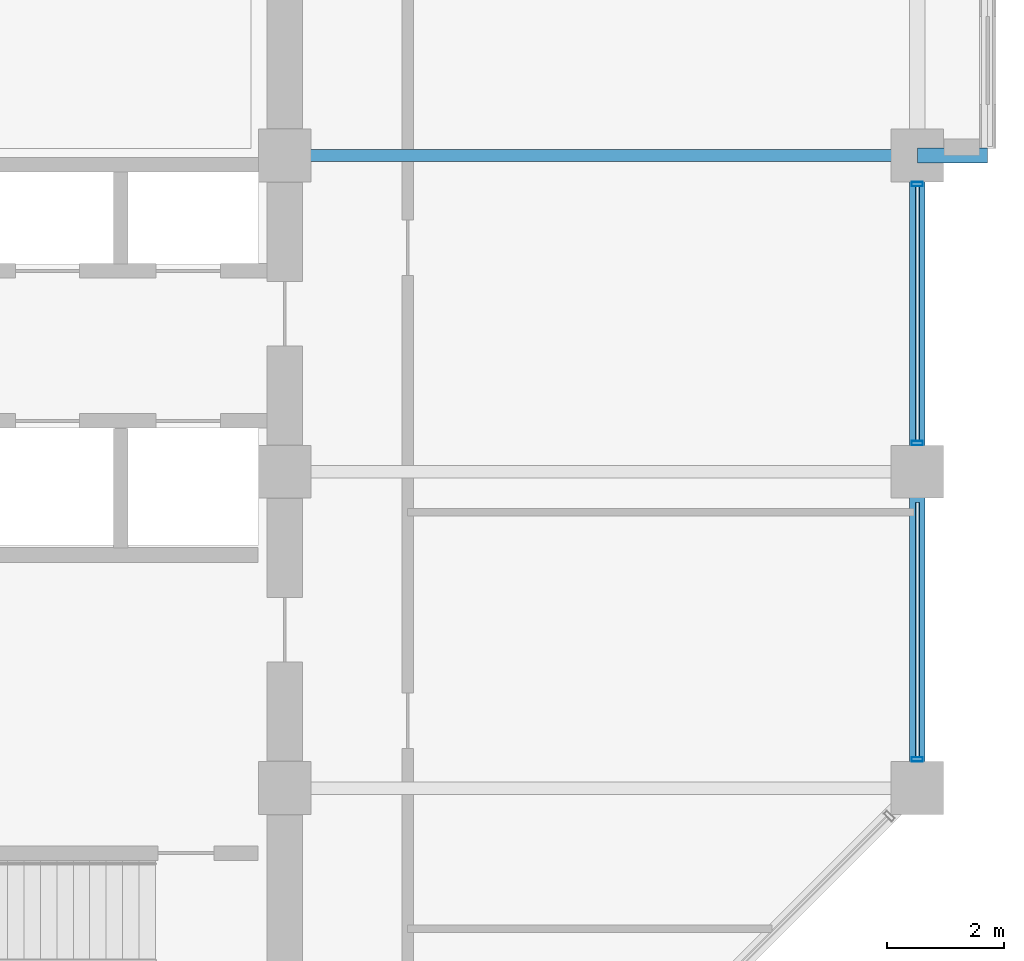
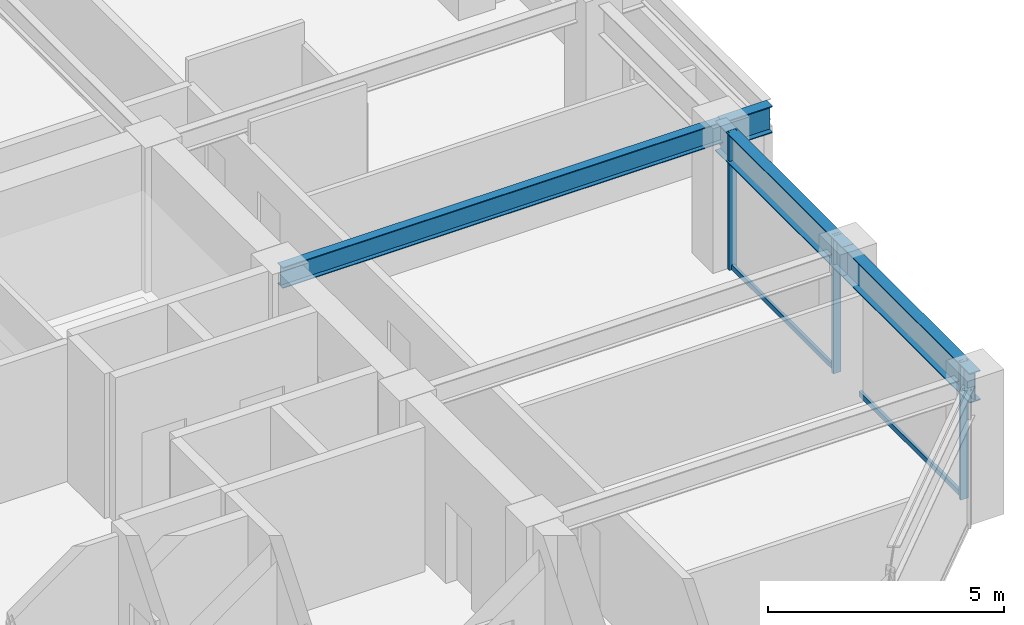
# One storey, part 14 of 32: 5 members, 4 beams, 1 element without a shape of its own.
"""IFC4 building model written with IfcOpenShell, lengths in metres."""

from ifc_helpers import new_model, si_unit, direction, frame, origin, origin_2d, place, context, subcontext, project, spatial, hollow_rectangle, i_section, extrude, material, layer, layer_set, material_profile, profile_set, type_object, element, aggregate, save


model = new_model("IFC4")

# Units and contexts
model_context = context("Model", 3, precision=1e-05, world=origin(), true_north=direction((0.0, 1.0)))
body_context = subcontext(model_context, "Body", "Model", "MODEL_VIEW")
ifc_project = project(units=[si_unit("LENGTHUNIT", "METRE"), si_unit("AREAUNIT", "SQUARE_METRE"), si_unit("VOLUMEUNIT", "CUBIC_METRE"), si_unit("PLANEANGLEUNIT", "RADIAN"), si_unit("MASSUNIT", "GRAM", prefix="KILO")], contexts=[model_context])

# Site, building, storey
site_placement = place(None, origin())
site = spatial("IfcSite", under=ifc_project, at=site_placement, CompositionType="ELEMENT")
building_placement = place(site_placement, origin())
building = spatial("IfcBuilding", under=site, at=building_placement, Name="Surkhivell Harbour Commons", CompositionType="ELEMENT")
storey_placement = place(building_placement, frame((0.0, 0.0, 186.0)))
storey = spatial("IfcBuildingStorey", under=building, at=storey_placement, Name="L48", CompositionType="ELEMENT", Elevation=186.0)

# Beams
ifc_material_1 = material(Name="Steel S460", Category="steel")
ifc_material_profile_1 = material_profile(ifc_material_1, i_section(OverallWidth=0.256103515625, OverallDepth=0.693115234375, WebThickness=0.014404296875, FlangeThickness=0.023681640625, at=origin_2d()), Name="UB686x254x170")
ifc_profile_set_1 = profile_set([ifc_material_profile_1], Name="Steel S460")
beam_type_1 = type_object("IfcBeamType", Name="BM-CNT-686", PredefinedType="BEAM", material=ifc_profile_set_1)
beam_1_placement = place(storey_placement, frame((21.60009765625, 5.39990234375, 3.223388671875), z_axis=(1.0, 0.0, 0.0), x_axis=(0.0, 1.0, 0.0)))
element("IfcBeam", 1, at=beam_1_placement, inside=storey, type_object=beam_type_1, Name="L48 Box Cantilever Outrigger (21.6,5.4)", PredefinedType="BEAM", context=body_context, shape_type="SweptSolid", body=[
    extrude(i_section(OverallWidth=0.256103515625, OverallDepth=0.693115234375, WebThickness=0.014404296875, FlangeThickness=0.023681640625, at=origin_2d()), origin(), (0.0, 0.0, 1.0), 1.199951171875),
])
ifc_material_2 = material(Name="Steel S355", Category="steel")
ifc_material_profile_2 = material_profile(ifc_material_2, i_section(OverallWidth=0.2119140625, OverallDepth=0.5439453125, WebThickness=0.0126953125, FlangeThickness=0.021240234375, at=origin_2d()), Name="UB533x210x122")
ifc_profile_set_2 = profile_set([ifc_material_profile_2], Name="Steel S355")
beam_type_2 = type_object("IfcBeamType", Name="BM-GRD-533A", PredefinedType="BEAM", material=ifc_profile_set_2)
beam_2_placement = place(storey_placement, frame((10.800048828125, 5.39990234375, 3.298095703125), z_axis=(1.0, 0.0, 0.0), x_axis=(0.0, 1.0, 0.0)))
element("IfcBeam", 2, at=beam_2_placement, inside=storey, type_object=beam_type_2, Name="L48 Floor Girder (10.8,5.4)", PredefinedType="BEAM", context=body_context, shape_type="SweptSolid", body=[
    extrude(i_section(OverallWidth=0.2119140625, OverallDepth=0.5439453125, WebThickness=0.0126953125, FlangeThickness=0.021240234375, at=origin_2d()), origin(), (0.0, 0.0, 1.0), 10.800048828125),
])
ifc_material_profile_3 = material_profile(ifc_material_2, i_section(OverallWidth=0.26806640625, OverallDepth=0.77001953125, WebThickness=0.015625, FlangeThickness=0.025390625, at=origin_2d()), Name="UB762x267x197")
ifc_profile_set_3 = profile_set([ifc_material_profile_3], Name="Steel S355")
beam_type_3 = type_object("IfcBeamType", Name="BM-SPN-762", PredefinedType="SPANDREL", material=ifc_profile_set_3)
for number, where, z_axis, x_axis, name in (
    (3, (21.60009765625, -5.39990234375, 3.18505859375), (0.0, 1.0, 0.0), (-1.0, 0.0, 0.0), "L48 Tube Spandrel (21.6,-5.4)"),
    (4, (21.60009765625, 0.0, 3.18505859375), (0.0, 1.0, 0.0), (-1.0, 0.0, 0.0), "L48 Tube Spandrel (21.6,0.0)"),
):
    element("IfcBeam", number, at=place(storey_placement, frame(where, z_axis=z_axis, x_axis=x_axis)), inside=storey, type_object=beam_type_3, Name=name, PredefinedType="SPANDREL", context=body_context, shape_type="SweptSolid", body=[
        extrude(i_section(OverallWidth=0.26806640625, OverallDepth=0.77001953125, WebThickness=0.015625, FlangeThickness=0.025390625, at=origin_2d()), origin(), (0.0, 0.0, 1.0), 5.39990234375),
    ])

# Curtain wall, members
ifc_material_3 = material(Name="Anodised pale-metal aluminium and insulated glazing", Category="aluminium")
ifc_layer = layer(ifc_material_3, 0.18994140625)
ifc_layer_set = layer_set([ifc_layer], Name="Anodised pale-metal aluminium and insulated glazing")
curtain_wall_type = type_object("IfcCurtainWallType", Name="CW-SYS-Z3", PredefinedType="NOTDEFINED", material=ifc_layer_set)
curtain_wall_placement = place(storey_placement, origin())
curtain_wall = element("IfcCurtainWall", 5, at=curtain_wall_placement, inside=storey, type_object=curtain_wall_type, Name="L48 Curtain Wall CW-L48-E02R1", PredefinedType="NOTDEFINED")
ifc_material_4 = material(Name="Anodised pale-metal aluminium alloy 6063-T6", Category="aluminium")
ifc_material_profile_4 = material_profile(ifc_material_4, hollow_rectangle(XDim=0.074951171875, YDim=0.18994140625, WallThickness=0.00390625, at=origin_2d()), Name="ALU-MULL-75x190")
ifc_profile_set_4 = profile_set([ifc_material_profile_4], Name="Anodised pale-metal aluminium alloy 6063-T6")
member_type_1 = type_object("IfcMemberType", Name="CWM-190", PredefinedType="MULLION", material=ifc_profile_set_4)
member_1_placement = place(storey_placement, frame((21.60009765625, -4.910400390625, 0.0), z_axis=(0.0, 0.0, 1.0), x_axis=(0.0, 1.0, 0.0)))
member_1 = element("IfcMember", 6, at=member_1_placement, type_object=member_type_1, Name="CW-Z3 mullion 1", PredefinedType="MULLION", context=body_context, shape_type="SweptSolid", body=[
    extrude(hollow_rectangle(XDim=0.074951171875, YDim=0.18994140625, WallThickness=0.00390625, at=origin_2d()), origin(), (0.0, 0.0, 1.0), 3.570068359375),
])
member_2_placement = place(storey_placement, frame((21.60009765625, 0.489501953125, 0.0), z_axis=(0.0, 0.0, 1.0), x_axis=(0.0, 1.0, 0.0)))
member_2 = element("IfcMember", 7, at=member_2_placement, type_object=member_type_1, Name="CW-Z3 mullion 2", PredefinedType="MULLION", context=body_context, shape_type="SweptSolid", body=[
    extrude(hollow_rectangle(XDim=0.074951171875, YDim=0.18994140625, WallThickness=0.00390625, at=origin_2d()), origin(), (0.0, 0.0, 1.0), 3.570068359375),
])
member_3_placement = place(storey_placement, frame((21.60009765625, 4.910400390625, 0.0), z_axis=(0.0, 0.0, 1.0), x_axis=(0.0, 1.0, 0.0)))
member_3 = element("IfcMember", 8, at=member_3_placement, type_object=member_type_1, Name="CW-Z3 mullion 3", PredefinedType="MULLION", context=body_context, shape_type="SweptSolid", body=[
    extrude(hollow_rectangle(XDim=0.074951171875, YDim=0.18994140625, WallThickness=0.00390625, at=origin_2d()), origin(), (0.0, 0.0, 1.0), 3.570068359375),
])
ifc_material_5 = material(Name="Champagne anodised aluminium alloy 6063-T6", Category="aluminium")
ifc_material_profile_5 = material_profile(ifc_material_5, hollow_rectangle(XDim=0.070068359375, YDim=0.1298828125, WallThickness=0.00341796875, at=origin_2d()), Name="ALU-TRAN-70x130")
ifc_profile_set_5 = profile_set([ifc_material_profile_5], Name="Champagne anodised aluminium alloy 6063-T6")
member_type_2 = type_object("IfcMemberType", Name="CWT-130", PredefinedType="USERDEFINED", material=ifc_profile_set_5)
member_4_placement = place(storey_placement, frame((21.60009765625, -4.873046875, 0.06494140625), z_axis=(0.0, 1.0, 0.0), x_axis=(-1.0, 0.0, 0.0)))
member_4 = element("IfcMember", 9, at=member_4_placement, type_object=member_type_2, Name="CW-Z3 transom 1.1", ObjectType="TRANSOM", PredefinedType="USERDEFINED", context=body_context, shape_type="SweptSolid", body=[
    extrude(hollow_rectangle(XDim=0.070068359375, YDim=0.1298828125, WallThickness=0.00341796875, at=origin_2d()), origin(), (0.0, 0.0, 1.0), 4.345947265625),
])
member_5_placement = place(storey_placement, frame((21.60009765625, 0.527099609375, 0.06494140625), z_axis=(0.0, 1.0, 0.0), x_axis=(-1.0, 0.0, 0.0)))
member_5 = element("IfcMember", 10, at=member_5_placement, type_object=member_type_2, Name="CW-Z3 transom 2.1", ObjectType="TRANSOM", PredefinedType="USERDEFINED", context=body_context, shape_type="SweptSolid", body=[
    extrude(hollow_rectangle(XDim=0.070068359375, YDim=0.1298828125, WallThickness=0.00341796875, at=origin_2d()), origin(), (0.0, 0.0, 1.0), 4.345947265625),
])
aggregate(curtain_wall, [member_1, member_4, member_2, member_3, member_5])

save(model, "model.ifc")
